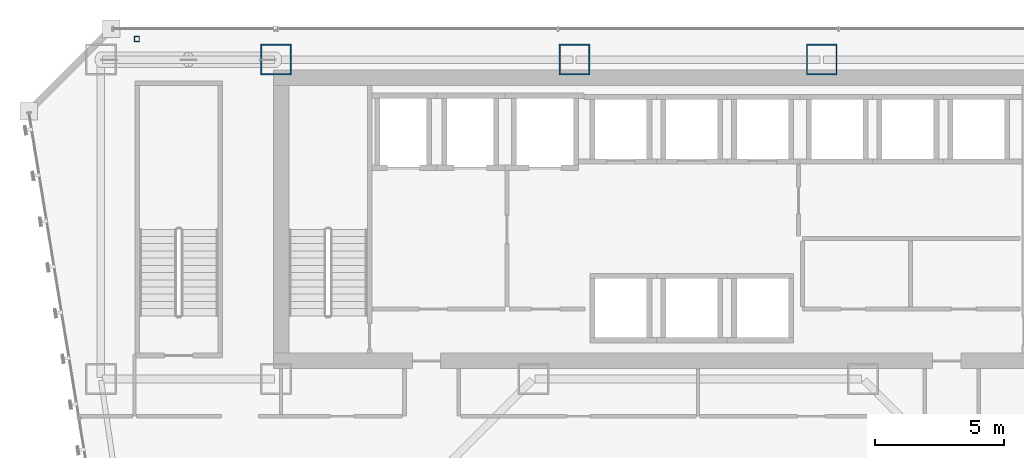
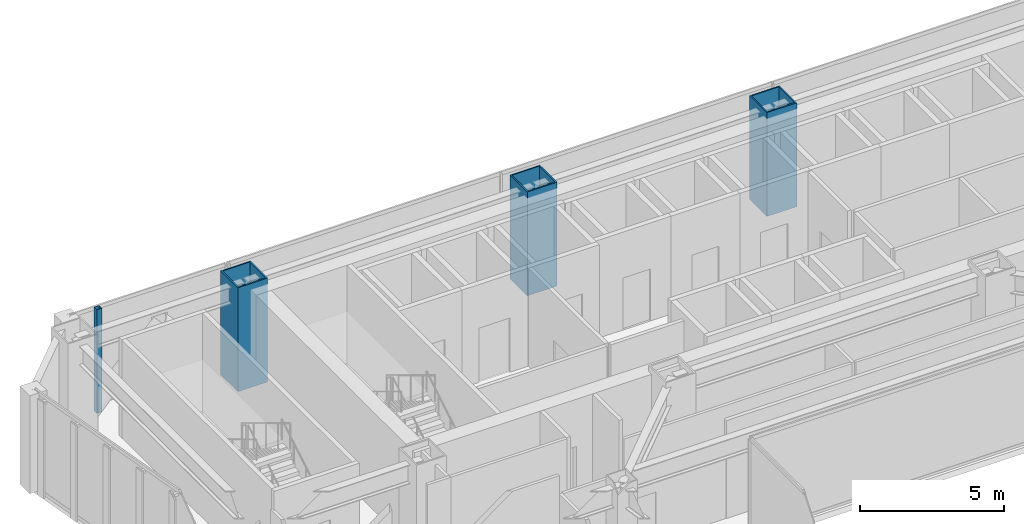
# One storey, part 2 of 47: 4 columns.
"""IFC4 building model written with IfcOpenShell, lengths in metres."""

from ifc_helpers import new_model, si_unit, direction, frame, origin, origin_2d, place, context, subcontext, project, spatial, hollow_rectangle, extrude, material, material_profile, profile_set, type_object, element, save


model = new_model("IFC4")

# Units and contexts
model_context = context("Model", 3, precision=1e-05, world=origin(), true_north=direction((0.0, 1.0)))
body_context = subcontext(model_context, "Body", "Model", "MODEL_VIEW")
ifc_project = project(units=[si_unit("LENGTHUNIT", "METRE"), si_unit("AREAUNIT", "SQUARE_METRE"), si_unit("VOLUMEUNIT", "CUBIC_METRE"), si_unit("PLANEANGLEUNIT", "RADIAN"), si_unit("MASSUNIT", "GRAM", prefix="KILO")], contexts=[model_context])

# Site, building, storey
site_placement = place(None, origin())
site = spatial("IfcSite", under=ifc_project, at=site_placement, CompositionType="ELEMENT")
building_placement = place(site_placement, origin())
building = spatial("IfcBuilding", under=site, at=building_placement, Name="Saevonmaru Cultural Tower", CompositionType="ELEMENT")
storey_placement = place(building_placement, frame((0.0, 0.0, 92.800048828125)))
storey = spatial("IfcBuildingStorey", under=building, at=storey_placement, Name="L19", CompositionType="ELEMENT", Elevation=92.800048828125)

# Columns
ifc_material_1 = material(Name="Steel HSA600 (600 MPa)", Category="steel")
ifc_material_profile_1 = material_profile(ifc_material_1, hollow_rectangle(XDim=1.199951171875, YDim=1.199951171875, WallThickness=0.054931640625, at=origin_2d()), Name="BOX-1200x1200x55")
ifc_profile_set_1 = profile_set([ifc_material_profile_1], Name="Steel HSA600 (600 MPa)")
column_type_1 = type_object("IfcColumnType", Name="COL-BOX-1200", PredefinedType="COLUMN", material=ifc_profile_set_1)
for number, where, z_axis, x_axis, name in (
    (1, (13.60009765625, 54.800048828125, 0.0), (0.0, 0.0, 1.0), (1.0, 0.0, 0.0), "L19 Column TC-N2N"),
    (2, (25.199951171875, 54.800048828125, 0.0), (0.0, 0.0, 1.0), (1.0, 0.0, 0.0), "L19 Column TC-N3N"),
    (3, (34.800048828125, 54.800048828125, 0.0), (0.0, 0.0, 1.0), (1.0, 0.0, 0.0), "L19 Column TC-N4N"),
):
    element("IfcColumn", number, at=place(storey_placement, frame(where, z_axis=z_axis, x_axis=x_axis)), inside=storey, type_object=column_type_1, Name=name, PredefinedType="COLUMN", context=body_context, shape_type="SweptSolid", body=[
        extrude(hollow_rectangle(XDim=1.199951171875, YDim=1.199951171875, WallThickness=0.054931640625, at=origin_2d()), origin(), (0.0, 0.0, 1.0), 4.39990234375),
    ])
ifc_material_2 = material(Name="Steel SM355", Category="steel")
ifc_material_profile_2 = material_profile(ifc_material_2, hollow_rectangle(XDim=0.199951171875, YDim=0.199951171875, WallThickness=0.010009765625, at=origin_2d()), Name="SHS-200x200x10")
ifc_profile_set_2 = profile_set([ifc_material_profile_2], Name="Steel SM355")
column_type_2 = type_object("IfcColumnType", Name="PIL-SHS-200", PredefinedType="PILASTER", material=ifc_profile_set_2)
column_placement = place(storey_placement, frame((8.199951171875, 55.60009765625, 0.0), z_axis=(0.0, 0.0, 1.0), x_axis=(1.0, 0.0, 0.0)))
element("IfcColumn", 4, at=column_placement, inside=storey, type_object=column_type_2, Name="L19 Art Deco Bronze-Clad Pilaster PIL-NW", PredefinedType="PILASTER", context=body_context, shape_type="SweptSolid", body=[
    extrude(hollow_rectangle(XDim=0.199951171875, YDim=0.199951171875, WallThickness=0.010009765625, at=origin_2d()), origin(), (0.0, 0.0, 1.0), 4.39990234375),
])

save(model, "model.ifc")
